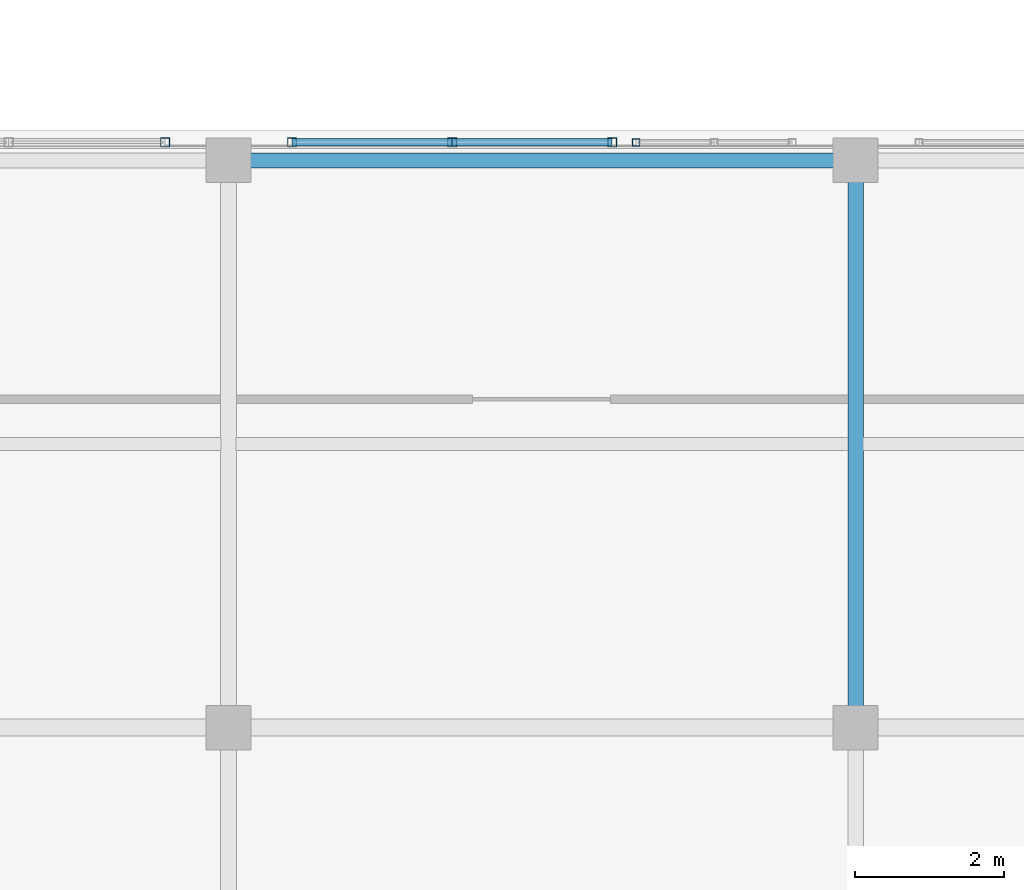
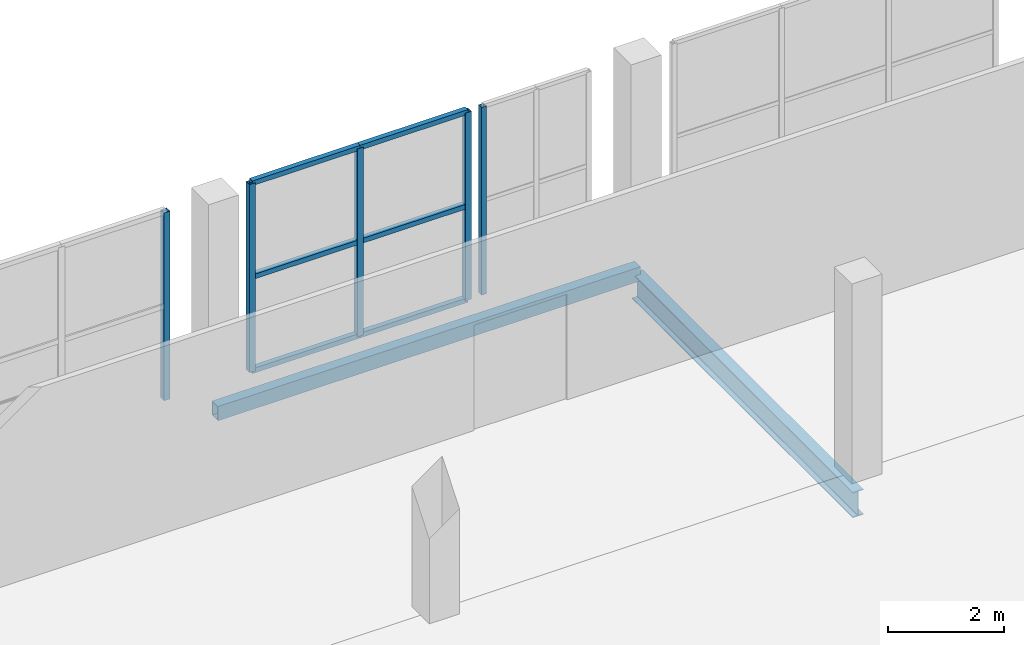
# One storey, part 37 of 217: 11 members, 2 beams, 3 elements without a shape of their own.
"""IFC4 building model written with IfcOpenShell, lengths in metres."""

import ifcopenshell
import ifcopenshell.guid

model = None  # the IFC model being written
_history = None  # IfcOwnerHistory: only IFC2X3 demands one
_inside = {}  # id of a spatial element -> (the spatial element, [elements in it])
_under = {}  # id of a project, library or spatial element -> (it, [spatial elements below it])
_declared = {}  # id of a project -> (the project, [libraries it declares])
_typed = {}  # id of a type object -> (the type object, [elements of that type])
_made_of = {}  # id of a material, layer set ... -> (it, [elements and type objects made of it])


def new_model(schema):
    """Start an empty IFC model of exactly this schema.

    Asked for "IFC4X3", IfcOpenShell would pick the latest addendum, in which some entities
    have other attributes; the version numbers below select the first issue.
    IFC2X3 requires an IfcOwnerHistory on every rooted entity: one is made here for all.
    """
    global model, _history
    if schema == "IFC4X3":
        model = ifcopenshell.file(schema_version=(4, 3, 0, 0))
    else:
        model = ifcopenshell.file(schema=schema)
    _inside.clear()
    _under.clear()
    _declared.clear()
    _typed.clear()
    _made_of.clear()
    _history = None
    if model.schema == "IFC2X3":
        org = make("IfcOrganization", Name="unknown")
        user = make(
            "IfcPersonAndOrganization",
            ThePerson=make("IfcPerson", FamilyName="unknown"),
            TheOrganization=org,
        )
        app = make(
            "IfcApplication",
            ApplicationDeveloper=org,
            Version="unknown",
            ApplicationFullName="unknown",
            ApplicationIdentifier="unknown",
        )
        _history = make(
            "IfcOwnerHistory",
            OwningUser=user,
            OwningApplication=app,
            ChangeAction="ADDED",
            CreationDate=0,
        )
    return model


def make(cls, **values):
    """One entity of the class cls with the attributes given. An attribute that is None is left unset."""
    return model.create_entity(
        cls, **{name: value for name, value in values.items() if value is not None}
    )


def rooted(cls, **values):
    """An entity with a GlobalId (a new one), such as an element, a storey or a relation."""
    return make(cls, GlobalId=ifcopenshell.guid.new(), OwnerHistory=_history, **values)


def si_unit(unit_type, name, prefix=None):
    """IfcSIUnit, for example si_unit("LENGTHUNIT", "METRE", prefix="MILLI")."""
    return make("IfcSIUnit", UnitType=unit_type, Prefix=prefix, Name=name)


def assignment(units):
    """IfcUnitAssignment: the units of a project."""
    return None if units is None else make("IfcUnitAssignment", Units=units)


def point(xyz):
    """IfcCartesianPoint."""
    return None if xyz is None else make("IfcCartesianPoint", Coordinates=xyz)


def direction(xyz):
    """IfcDirection."""
    return None if xyz is None else make("IfcDirection", DirectionRatios=xyz)


def frame(location, z_axis=None, x_axis=None):
    """IfcAxis2Placement3D, a coordinate frame: its origin and axes. An axis left out is left unset."""
    return make(
        "IfcAxis2Placement3D",
        Location=point(location),
        Axis=direction(z_axis),
        RefDirection=direction(x_axis),
    )


def frame_2d(location, x_axis=None):
    """IfcAxis2Placement2D, a coordinate frame in the plane: its origin and x axis."""
    return make(
        "IfcAxis2Placement2D", Location=point(location), RefDirection=direction(x_axis)
    )


def origin():
    """The frame at (0, 0, 0) with its axes left unset."""
    return frame((0.0, 0.0, 0.0))


def origin_2d():
    """The frame at (0, 0) in the plane with its x axis left unset."""
    return frame_2d((0.0, 0.0))


def place(relative_to, where):
    """IfcLocalPlacement: puts the frame where relative to a parent placement (None: the world)."""
    return make(
        "IfcLocalPlacement", PlacementRelTo=relative_to, RelativePlacement=where
    )


def context(
    kind, dimensions, precision=None, world=None, true_north=None, identifier=None
):
    """IfcGeometricRepresentationContext, for example the 3D "Model" context."""
    return make(
        "IfcGeometricRepresentationContext",
        ContextIdentifier=identifier,
        ContextType=kind,
        CoordinateSpaceDimension=dimensions,
        Precision=precision,
        WorldCoordinateSystem=world,
        TrueNorth=true_north,
    )


def subcontext(parent, identifier, kind, view, scale=None):
    """IfcGeometricRepresentationSubContext, for example "Body" below "Model"."""
    return make(
        "IfcGeometricRepresentationSubContext",
        ContextIdentifier=identifier,
        ContextType=kind,
        ParentContext=parent,
        TargetScale=scale,
        TargetView=view,
    )


def project(units=None, contexts=None):
    """IfcProject with its units and contexts."""
    return rooted(
        "IfcProject",
        Name="project",
        RepresentationContexts=contexts,
        UnitsInContext=assignment(units),
    )


def spatial(cls, under=None, at=None, **own):
    """A site, building, storey or space (cls), placed at a placement, below another one or the project."""
    s = rooted(cls, ObjectPlacement=at, **own)
    if under is not None:
        _under.setdefault(under.id(), (under, []))[1].append(s)
    return s


def profile(cls, at=None, kind="AREA", **sizes):
    """A parametric profile (cls). Its sizes go by their IFC names, for example OverallWidth=200.0."""
    return make(cls, ProfileType=kind, Position=at, **sizes)


def hollow_rectangle(**sizes):
    """IfcRectangleHollowProfileDef."""
    return profile("IfcRectangleHollowProfileDef", **sizes)


def i_section(**sizes):
    """IfcIShapeProfileDef."""
    return profile("IfcIShapeProfileDef", **sizes)


def extrude(swept, where, along, depth):
    """IfcExtrudedAreaSolid: the profile swept, set in the frame where, extruded along a direction by depth."""
    return make(
        "IfcExtrudedAreaSolid",
        SweptArea=swept,
        Position=where,
        ExtrudedDirection=direction(along),
        Depth=depth,
    )


def shape(context_of_items, identifier, shape_type, items):
    """IfcShapeRepresentation: the items that make up one representation, for example the "Body"."""
    return make(
        "IfcShapeRepresentation",
        ContextOfItems=context_of_items,
        RepresentationIdentifier=identifier,
        RepresentationType=shape_type,
        Items=items,
    )


def material(Name=None, Category=None):
    """IfcMaterial."""
    return make("IfcMaterial", Name=Name, Category=Category)


def material_profile(
    of_material, cross_section, Name=None, Category=None, Priority=None
):
    """IfcMaterialProfile: a cross section and its material."""
    return make(
        "IfcMaterialProfile",
        Name=Name,
        Material=of_material,
        Profile=cross_section,
        Priority=Priority,
        Category=Category,
    )


def profile_set(profiles, Name=None, composite=None):
    """IfcMaterialProfileSet."""
    return make(
        "IfcMaterialProfileSet",
        Name=Name,
        MaterialProfiles=profiles,
        CompositeProfile=composite,
    )


def made_of(thing, what):
    """Note that an element or type object is made of a material, layer set ...; save() writes the relation."""
    if what is not None:
        _made_of.setdefault(what.id(), (what, []))[1].append(thing)
    return thing


def type_object(cls, material=None, **own):
    """A type object (cls), such as IfcWallType, which elements share."""
    return made_of(rooted(cls, **own), material)


def element(
    cls,
    number,
    at=None,
    inside=None,
    cuts=None,
    type_object=None,
    material=None,
    context=None,
    identifier="Body",
    shape_type=None,
    held_by="IfcProductDefinitionShape",
    body=None,
    shapes=None,
    **own,
):
    """One element of the class cls, such as IfcWall. Its Tag is "e" and its number.

    at: its placement. inside: the storey or other place that contains it. cuts: it is an
    opening in that element (IfcRelVoidsElement). A single representation is given by context,
    identifier, shape_type and body (its items); several are given by shapes. held_by: the class
    of the entity that holds the representations. save() writes the other relations.
    """
    e = rooted(cls, Tag="e%d" % number, ObjectPlacement=at, **own)
    if body is not None:
        shapes = [shape(context, identifier, shape_type, body)]
    if shapes is not None:
        e.Representation = make(held_by, Representations=shapes)
    if inside is not None:
        _inside.setdefault(inside.id(), (inside, []))[1].append(e)
    if cuts is not None:
        rooted(
            "IfcRelVoidsElement", RelatingBuildingElement=cuts, RelatedOpeningElement=e
        )
    if type_object is not None:
        _typed.setdefault(type_object.id(), (type_object, []))[1].append(e)
    return made_of(e, material)


def aggregate(whole, parts):
    """IfcRelAggregates: a whole, such as a stair, and the parts it consists of."""
    return rooted("IfcRelAggregates", RelatingObject=whole, RelatedObjects=parts)


def save(model, path):
    """Write the relations noted so far, then the file.

    IfcRelAggregates (storeys below a building ...), IfcRelContainedInSpatialStructure (elements
    in a storey), IfcRelDefinesByType, IfcRelAssociatesMaterial and IfcRelDeclares: one each for
    every whole, place, type object, material and project.
    """
    for whole, parts in _under.values():
        aggregate(whole, parts)
    for where, things in _inside.values():
        rooted(
            "IfcRelContainedInSpatialStructure",
            RelatedElements=things,
            RelatingStructure=where,
        )
    for kind, things in _typed.values():
        rooted("IfcRelDefinesByType", RelatedObjects=things, RelatingType=kind)
    for what, things in _made_of.values():
        rooted("IfcRelAssociatesMaterial", RelatedObjects=things, RelatingMaterial=what)
    for by, libraries in _declared.values():
        rooted("IfcRelDeclares", RelatingContext=by, RelatedDefinitions=libraries)
    model.write(path)


model = new_model("IFC4")

# Units and contexts
model_context = context("Model", 3, precision=1e-05, world=origin(), true_north=direction((0.0, 1.0)))
body_context = subcontext(model_context, "Body", "Model", "MODEL_VIEW")
ifc_project = project(units=[si_unit("LENGTHUNIT", "METRE"), si_unit("AREAUNIT", "SQUARE_METRE"), si_unit("VOLUMEUNIT", "CUBIC_METRE"), si_unit("PLANEANGLEUNIT", "RADIAN"), si_unit("MASSUNIT", "GRAM", prefix="KILO")], contexts=[model_context])

# Site, building, storey
site_placement = place(None, origin())
site = spatial("IfcSite", under=ifc_project, at=site_placement, CompositionType="ELEMENT")
building_placement = place(site_placement, origin())
building = spatial("IfcBuilding", under=site, at=building_placement, Name="Zuvorla Pavilion Media Centre", CompositionType="ELEMENT")
storey_placement = place(building_placement, frame((0.0, 0.0, 9.60009765625)))
storey = spatial("IfcBuildingStorey", under=building, at=storey_placement, Name="L02", CompositionType="ELEMENT", Elevation=9.60009765625)

# Beams
ifc_material_1 = material(Name="Steel S355", Category="steel")
ifc_material_profile_1 = material_profile(ifc_material_1, hollow_rectangle(XDim=0.199951171875, YDim=0.300048828125, WallThickness=0.012451171875, at=origin_2d()), Name="RHS 300x200x12.5")
ifc_profile_set_1 = profile_set([ifc_material_profile_1], Name="Steel S355")
beam_type_1 = type_object("IfcBeamType", Name="BM-SP-RHS300", PredefinedType="SPANDREL", material=ifc_profile_set_1)
beam_1_placement = place(storey_placement, frame((75.199951171875, 51.60009765625, -0.418212890625), z_axis=(1.0, 0.0, 0.0), x_axis=(0.0, 1.0, 0.0)))
element("IfcBeam", 1, at=beam_1_placement, inside=storey, type_object=beam_type_1, Name="L02 spandrel SP01 842", PredefinedType="SPANDREL", context=body_context, shape_type="SweptSolid", body=[
    extrude(hollow_rectangle(XDim=0.199951171875, YDim=0.300048828125, WallThickness=0.012451171875, at=origin_2d()), origin(), (0.0, 0.0, 1.0), 8.400146484375),
])
ifc_material_profile_2 = material_profile(ifc_material_1, i_section(OverallWidth=0.2099609375, OverallDepth=0.53662109375, WebThickness=0.0107421875, FlangeThickness=0.017333984375, FilletRadius=0.0126953125, at=origin_2d()), Name="UB 533x210x101")
ifc_profile_set_2 = profile_set([ifc_material_profile_2], Name="Steel S355")
beam_type_2 = type_object("IfcBeamType", Name="BM-UB533", PredefinedType="BEAM", material=ifc_profile_set_2)
beam_2_placement = place(storey_placement, frame((83.60009765625, 44.0, -0.6962890625), z_axis=(0.0, 1.0, 0.0), x_axis=(-1.0, 0.0, 0.0)))
element("IfcBeam", 2, at=beam_2_placement, inside=storey, type_object=beam_type_2, Name="L02 beam B08 938", PredefinedType="BEAM", context=body_context, shape_type="SweptSolid", body=[
    extrude(i_section(OverallWidth=0.2099609375, OverallDepth=0.53662109375, WebThickness=0.0107421875, FlangeThickness=0.017333984375, FilletRadius=0.0126953125, at=origin_2d()), origin(), (0.0, 0.0, 1.0), 7.60009765625),
])

# Curtain wall, member
ifc_material_2 = material(Name="Unitised anodised aluminium and solar glass curtain wall", Category="aluminium")
curtain_wall_type_1 = type_object("IfcCurtainWallType", Name="CW-SYS-44", PredefinedType="USERDEFINED", material=ifc_material_2)
curtain_wall_1_placement = place(storey_placement, origin())
curtain_wall_1 = element("IfcCurtainWall", 3, at=curtain_wall_1_placement, inside=storey, type_object=curtain_wall_type_1, Name="L02 curtain wall CW44 65", ObjectType="CURTAIN WALL", PredefinedType="USERDEFINED")
ifc_material_3 = material(Name="Anodised aluminium 6063-T6", Category="aluminium")
ifc_material_profile_3 = material_profile(ifc_material_3, hollow_rectangle(XDim=0.10009765625, YDim=0.10009765625, WallThickness=0.00439453125, at=origin_2d()), Name="ALU MULL 100x100")
ifc_profile_set_3 = profile_set([ifc_material_profile_3], Name="Anodised aluminium 6063-T6")
member_type_1 = type_object("IfcMemberType", Name="CW-MULL-100", PredefinedType="MULLION", material=ifc_profile_set_3)
member_1_placement = place(storey_placement, frame((80.659912109375, 51.840087890625, 0.0), z_axis=(0.0, 0.0, 1.0), x_axis=(1.0, 0.0, 0.0)))
member_1 = element("IfcMember", 4, at=member_1_placement, type_object=member_type_1, Name="CW44 mullion 1", PredefinedType="MULLION", context=body_context, shape_type="SweptSolid", body=[
    extrude(hollow_rectangle(XDim=0.10009765625, YDim=0.10009765625, WallThickness=0.00439453125, at=origin_2d()), origin(), (0.0, 0.0, 1.0), 3.949951171875),
])
aggregate(curtain_wall_1, [member_1])

curtain_wall_type_2 = type_object("IfcCurtainWallType", Name="CW-SYS-40", PredefinedType="USERDEFINED", material=ifc_material_2)
curtain_wall_2_placement = place(storey_placement, origin())
curtain_wall_2 = element("IfcCurtainWall", 5, at=curtain_wall_2_placement, inside=storey, type_object=curtain_wall_type_2, Name="L02 curtain wall CW40 61", ObjectType="CURTAIN WALL", PredefinedType="USERDEFINED")
ifc_material_profile_4 = material_profile(ifc_material_3, hollow_rectangle(XDim=0.1201171875, YDim=0.1201171875, WallThickness=0.0048828125, at=origin_2d()), Name="ALU MULL 120x120")
ifc_profile_set_4 = profile_set([ifc_material_profile_4], Name="Anodised aluminium 6063-T6")
member_type_2 = type_object("IfcMemberType", Name="CW-MULL-120", PredefinedType="MULLION", material=ifc_profile_set_4)
member_2_placement = place(storey_placement, frame((74.349609375, 51.840087890625, 0.0), z_axis=(0.0, 0.0, 1.0), x_axis=(1.0, 0.0, 0.0)))
member_2 = element("IfcMember", 6, at=member_2_placement, type_object=member_type_2, Name="CW40 mullion 3", PredefinedType="MULLION", context=body_context, shape_type="SweptSolid", body=[
    extrude(hollow_rectangle(XDim=0.1201171875, YDim=0.1201171875, WallThickness=0.0048828125, at=origin_2d()), origin(), (0.0, 0.0, 1.0), 3.949951171875),
])
aggregate(curtain_wall_2, [member_2])

# Curtain wall, members
curtain_wall_type_3 = type_object("IfcCurtainWallType", Name="CW-SYS-41", PredefinedType="USERDEFINED", material=ifc_material_2)
curtain_wall_3_placement = place(storey_placement, origin())
curtain_wall_3 = element("IfcCurtainWall", 7, at=curtain_wall_3_placement, inside=storey, type_object=curtain_wall_type_3, Name="L02 curtain wall CW41 62", ObjectType="CURTAIN WALL", PredefinedType="USERDEFINED")
member_3_placement = place(storey_placement, frame((76.05029296875, 51.840087890625, 0.0), z_axis=(0.0, 0.0, 1.0), x_axis=(1.0, 0.0, 0.0)))
member_3 = element("IfcMember", 8, at=member_3_placement, type_object=member_type_2, Name="CW41 mullion 1", PredefinedType="MULLION", context=body_context, shape_type="SweptSolid", body=[
    extrude(hollow_rectangle(XDim=0.1201171875, YDim=0.1201171875, WallThickness=0.0048828125, at=origin_2d()), origin(), (0.0, 0.0, 1.0), 3.949951171875),
])
member_4_placement = place(storey_placement, frame((78.195068359375, 51.840087890625, 0.0), z_axis=(0.0, 0.0, 1.0), x_axis=(1.0, 0.0, 0.0)))
member_4 = element("IfcMember", 9, at=member_4_placement, type_object=member_type_2, Name="CW41 mullion 2", PredefinedType="MULLION", context=body_context, shape_type="SweptSolid", body=[
    extrude(hollow_rectangle(XDim=0.1201171875, YDim=0.1201171875, WallThickness=0.0048828125, at=origin_2d()), origin(), (0.0, 0.0, 1.0), 3.949951171875),
])
member_5_placement = place(storey_placement, frame((80.340087890625, 51.840087890625, 0.0), z_axis=(0.0, 0.0, 1.0), x_axis=(1.0, 0.0, 0.0)))
member_5 = element("IfcMember", 10, at=member_5_placement, type_object=member_type_2, Name="CW41 mullion 3", PredefinedType="MULLION", context=body_context, shape_type="SweptSolid", body=[
    extrude(hollow_rectangle(XDim=0.1201171875, YDim=0.1201171875, WallThickness=0.0048828125, at=origin_2d()), origin(), (0.0, 0.0, 1.0), 3.949951171875),
])
ifc_material_profile_5 = material_profile(ifc_material_3, hollow_rectangle(XDim=0.10009765625, YDim=0.10009765625, WallThickness=0.00439453125, at=origin_2d()), Name="ALU TRAN 100x100")
ifc_profile_set_5 = profile_set([ifc_material_profile_5], Name="Anodised aluminium 6063-T6")
member_type_3 = type_object("IfcMemberType", Name="CW-TRAN-100", PredefinedType="USERDEFINED", material=ifc_profile_set_5)
member_6_placement = place(storey_placement, frame((76.05029296875, 51.840087890625, 0.0), z_axis=(1.0, 0.0, 0.0), x_axis=(0.0, 1.0, 0.0)))
member_6 = element("IfcMember", 11, at=member_6_placement, type_object=member_type_3, Name="CW41 transom 1.1", ObjectType="TRANSOM", PredefinedType="USERDEFINED", context=body_context, shape_type="SweptSolid", body=[
    extrude(hollow_rectangle(XDim=0.10009765625, YDim=0.10009765625, WallThickness=0.00439453125, at=origin_2d()), origin(), (0.0, 0.0, 1.0), 2.144775390625),
])
member_7_placement = place(storey_placement, frame((76.05029296875, 51.840087890625, 1.974853515625), z_axis=(1.0, 0.0, 0.0), x_axis=(0.0, 1.0, 0.0)))
member_7 = element("IfcMember", 12, at=member_7_placement, type_object=member_type_3, Name="CW41 transom 1.2", ObjectType="TRANSOM", PredefinedType="USERDEFINED", context=body_context, shape_type="SweptSolid", body=[
    extrude(hollow_rectangle(XDim=0.10009765625, YDim=0.10009765625, WallThickness=0.00439453125, at=origin_2d()), origin(), (0.0, 0.0, 1.0), 2.144775390625),
])
member_8_placement = place(storey_placement, frame((76.05029296875, 51.840087890625, 3.949951171875), z_axis=(1.0, 0.0, 0.0), x_axis=(0.0, 1.0, 0.0)))
member_8 = element("IfcMember", 13, at=member_8_placement, type_object=member_type_3, Name="CW41 transom 1.3", ObjectType="TRANSOM", PredefinedType="USERDEFINED", context=body_context, shape_type="SweptSolid", body=[
    extrude(hollow_rectangle(XDim=0.10009765625, YDim=0.10009765625, WallThickness=0.00439453125, at=origin_2d()), origin(), (0.0, 0.0, 1.0), 2.144775390625),
])
member_9_placement = place(storey_placement, frame((78.195068359375, 51.840087890625, 0.0), z_axis=(1.0, 0.0, 0.0), x_axis=(0.0, 1.0, 0.0)))
member_9 = element("IfcMember", 14, at=member_9_placement, type_object=member_type_3, Name="CW41 transom 2.1", ObjectType="TRANSOM", PredefinedType="USERDEFINED", context=body_context, shape_type="SweptSolid", body=[
    extrude(hollow_rectangle(XDim=0.10009765625, YDim=0.10009765625, WallThickness=0.00439453125, at=origin_2d()), origin(), (0.0, 0.0, 1.0), 2.14501953125),
])
member_10_placement = place(storey_placement, frame((78.195068359375, 51.840087890625, 1.974853515625), z_axis=(1.0, 0.0, 0.0), x_axis=(0.0, 1.0, 0.0)))
member_10 = element("IfcMember", 15, at=member_10_placement, type_object=member_type_3, Name="CW41 transom 2.2", ObjectType="TRANSOM", PredefinedType="USERDEFINED", context=body_context, shape_type="SweptSolid", body=[
    extrude(hollow_rectangle(XDim=0.10009765625, YDim=0.10009765625, WallThickness=0.00439453125, at=origin_2d()), origin(), (0.0, 0.0, 1.0), 2.14501953125),
])
member_11_placement = place(storey_placement, frame((78.195068359375, 51.840087890625, 3.949951171875), z_axis=(1.0, 0.0, 0.0), x_axis=(0.0, 1.0, 0.0)))
member_11 = element("IfcMember", 16, at=member_11_placement, type_object=member_type_3, Name="CW41 transom 2.3", ObjectType="TRANSOM", PredefinedType="USERDEFINED", context=body_context, shape_type="SweptSolid", body=[
    extrude(hollow_rectangle(XDim=0.10009765625, YDim=0.10009765625, WallThickness=0.00439453125, at=origin_2d()), origin(), (0.0, 0.0, 1.0), 2.14501953125),
])
aggregate(curtain_wall_3, [member_3, member_4, member_5, member_6, member_7, member_8, member_9, member_10, member_11])

save(model, "model.ifc")
